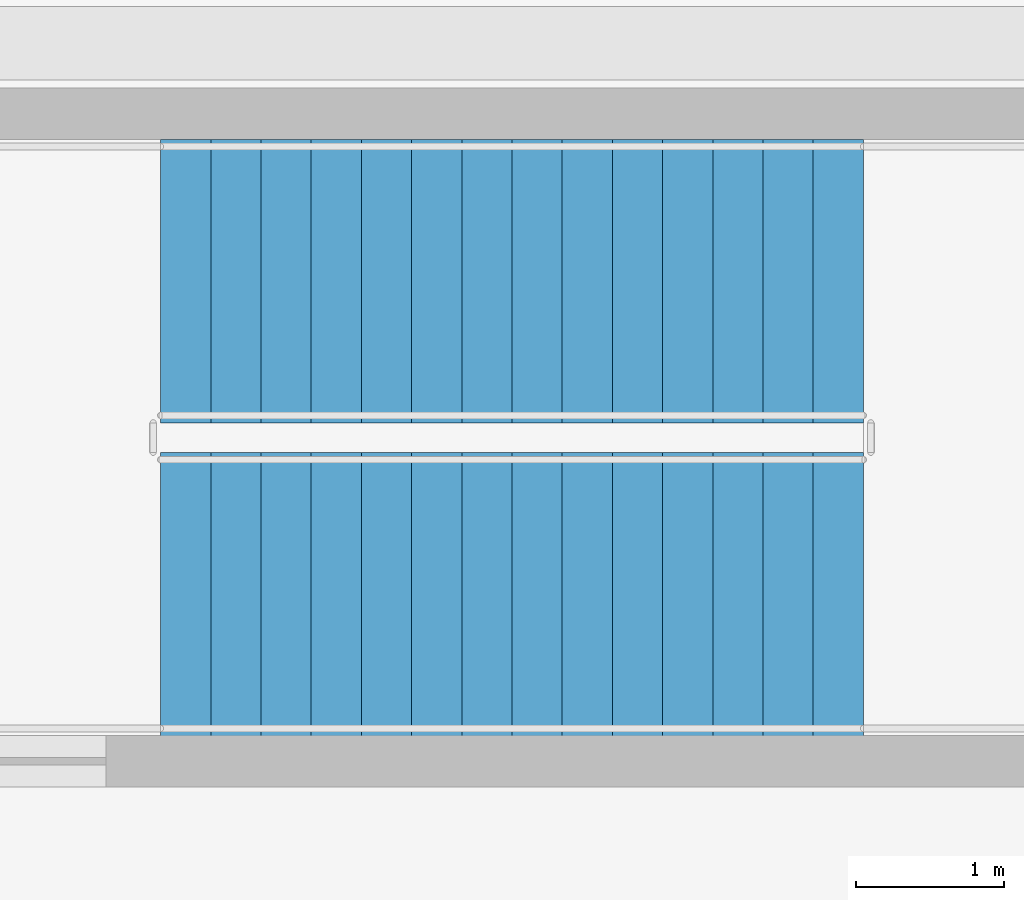
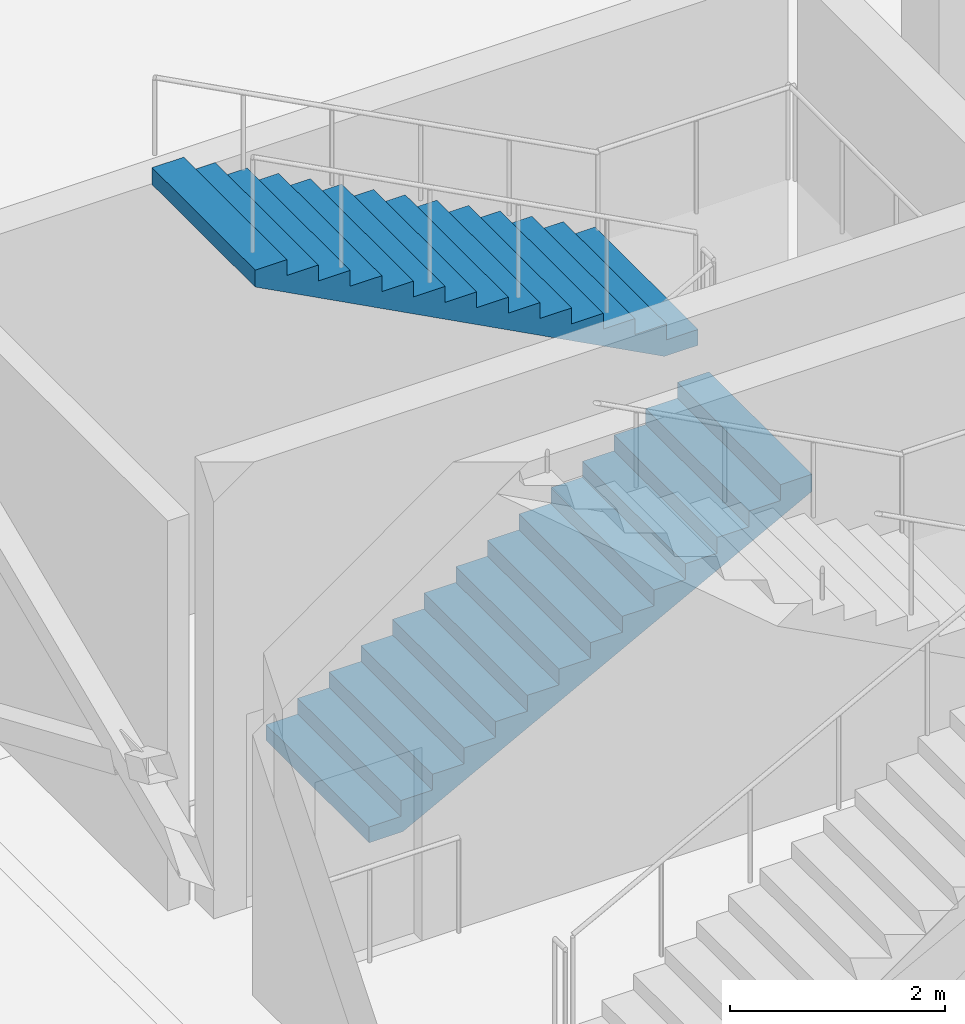
# One storey, part 46 of 60: 2 stair flights, 1 element without a shape of its own.
"""IFC4 building model written with IfcOpenShell, lengths in metres."""

from ifc_helpers import new_model, si_unit, direction, frame, origin, place, context, subcontext, project, spatial, polyline, outline, extrude, material, layer, layer_set, type_object, element, aggregate, save


model = new_model("IFC4")

# Units and contexts
model_context = context("Model", 3, precision=1e-05, world=origin(), true_north=direction((0.0, 1.0)))
body_context = subcontext(model_context, "Body", "Model", "MODEL_VIEW")
ifc_project = project(units=[si_unit("LENGTHUNIT", "METRE"), si_unit("AREAUNIT", "SQUARE_METRE"), si_unit("VOLUMEUNIT", "CUBIC_METRE"), si_unit("PLANEANGLEUNIT", "RADIAN"), si_unit("MASSUNIT", "GRAM", prefix="KILO")], contexts=[model_context])

# Site, building, storey
site_placement = place(None, origin())
site = spatial("IfcSite", under=ifc_project, at=site_placement, CompositionType="ELEMENT")
building_placement = place(site_placement, origin())
building = spatial("IfcBuilding", under=site, at=building_placement, Name="Luwafu Chhajja Arena", CompositionType="ELEMENT")
storey_placement = place(building_placement, frame((0.0, 0.0, -5.39990234375)))
storey = spatial("IfcBuildingStorey", under=building, at=storey_placement, Name="B1", CompositionType="ELEMENT", Elevation=-5.39990234375)

# Stair, stair flights
ifc_material = material(Name="Concrete C35/45", Category="concrete")
stair_type = type_object("IfcStairType", Name="Quadrant Protected Dog-Leg Stair 1920", PredefinedType="HALF_TURN_STAIR", material=ifc_material)
stair_placement = place(storey_placement, origin())
stair = element("IfcStair", 1, at=stair_placement, inside=storey, type_object=stair_type, Name="B1 Protected Escape Stair ST-20", PredefinedType="HALF_TURN_STAIR")
ifc_layer = layer(ifc_material, 0.169921875, Name="Concrete C35/45")
ifc_layer_set = layer_set([ifc_layer], Name="Concrete C35/45")
stair_flight_type = type_object("IfcStairFlightType", Name="RC Escape Stair Flight 1920", PredefinedType="STRAIGHT", material=ifc_layer_set)
stair_flight_1_placement = place(storey_placement, frame((167.02001953125, 62.27001953125, 0.0), z_axis=(0.0, 0.0, 1.0), x_axis=(1.0, 0.0, 0.0)))
stair_flight_1 = element("IfcStairFlight", 2, at=stair_flight_1_placement, type_object=stair_flight_type, Name="ST-20 flight 1", NumberOfRisers=15, NumberOfTreads=14, PredefinedType="STRAIGHT", RiserHeight=0.18, TreadLength=0.34, context=body_context, shape_type="SweptSolid", body=[
    extrude(outline(polyline([(0.0, 0.0), (0.0, 0.179931640625), (0.340087890625, 0.179931640625), (0.340087890625, 0.360107421875), (0.679931640625, 0.360107421875), (0.679931640625, 0.5400390625), (1.02001953125, 0.5400390625), (1.02001953125, 0.719970703125), (1.360107421875, 0.719970703125), (1.360107421875, 0.89990234375), (1.699951171875, 0.89990234375), (1.699951171875, 1.080078125), (2.0400390625, 1.080078125), (2.0400390625, 1.260009765625), (2.3798828125, 1.260009765625), (2.3798828125, 1.43994140625), (2.719970703125, 1.43994140625), (2.719970703125, 1.6201171875), (3.06005859375, 1.6201171875), (3.06005859375, 1.800048828125), (3.39990234375, 1.800048828125), (3.39990234375, 1.97998046875), (3.739990234375, 1.97998046875), (3.739990234375, 2.159912109375), (4.080078125, 2.159912109375), (4.080078125, 2.340087890625), (4.419921875, 2.340087890625), (4.419921875, 2.52001953125), (4.760009765625, 2.52001953125), (4.760009765625, 2.699951171875), (4.760009765625, 2.32763671875), (0.36328125, 0.0), (0.0, 0.0)])), frame((0.0, 0.9599609375, 0.0), z_axis=(0.0, -1.0, 0.0), x_axis=(1.0, 0.0, 0.0)), (0.0, 0.0, 1.0), 1.919921875),
])
stair_flight_2_placement = place(storey_placement, frame((171.780029296875, 64.389892578125, 2.699951171875), z_axis=(0.0, 0.0, 1.0), x_axis=(-1.0, 0.0, 0.0)))
stair_flight_2 = element("IfcStairFlight", 3, at=stair_flight_2_placement, type_object=stair_flight_type, Name="ST-20 flight 2", NumberOfRisers=15, NumberOfTreads=14, PredefinedType="STRAIGHT", RiserHeight=0.18, TreadLength=0.34, context=body_context, shape_type="SweptSolid", body=[
    extrude(outline(polyline([(0.0, 0.0), (0.0, 0.179931640625), (0.340087890625, 0.179931640625), (0.340087890625, 0.360107421875), (0.679931640625, 0.360107421875), (0.679931640625, 0.5400390625), (1.02001953125, 0.5400390625), (1.02001953125, 0.719970703125), (1.360107421875, 0.719970703125), (1.360107421875, 0.89990234375), (1.699951171875, 0.89990234375), (1.699951171875, 1.080078125), (2.0400390625, 1.080078125), (2.0400390625, 1.260009765625), (2.3798828125, 1.260009765625), (2.3798828125, 1.43994140625), (2.719970703125, 1.43994140625), (2.719970703125, 1.6201171875), (3.06005859375, 1.6201171875), (3.06005859375, 1.800048828125), (3.39990234375, 1.800048828125), (3.39990234375, 1.97998046875), (3.739990234375, 1.97998046875), (3.739990234375, 2.159912109375), (4.080078125, 2.159912109375), (4.080078125, 2.340087890625), (4.419921875, 2.340087890625), (4.419921875, 2.52001953125), (4.760009765625, 2.52001953125), (4.760009765625, 2.699951171875), (4.760009765625, 2.32763671875), (0.36328125, 0.0), (0.0, 0.0)])), frame((0.0, 0.9599609375, 0.0), z_axis=(0.0, -1.0, 0.0), x_axis=(1.0, 0.0, 0.0)), (0.0, 0.0, 1.0), 1.919921875),
])
aggregate(stair, [stair_flight_1, stair_flight_2])

save(model, "model.ifc")
